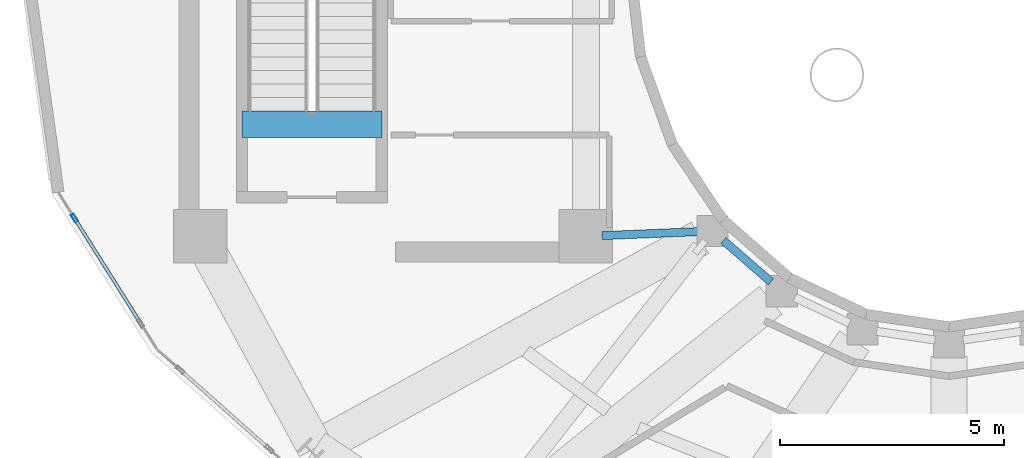
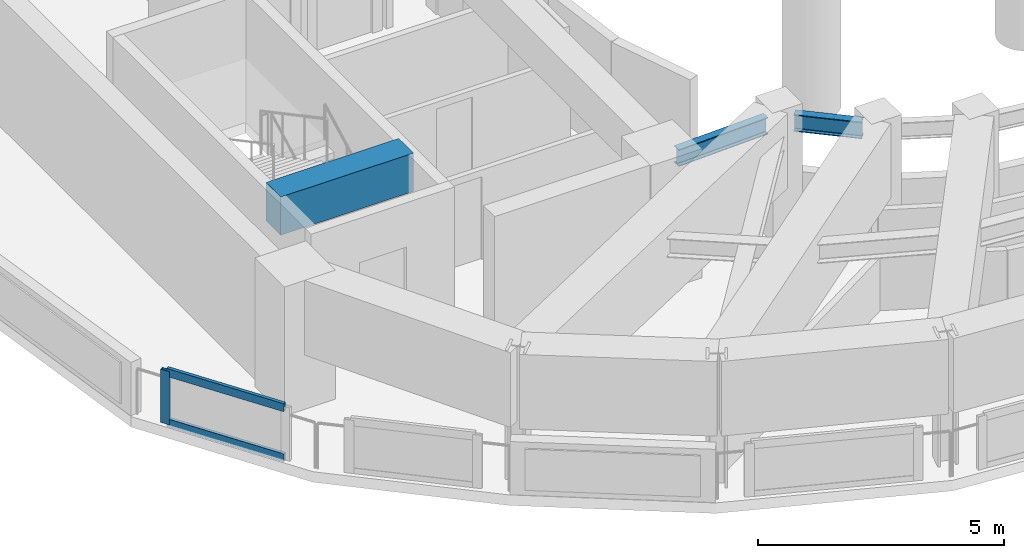
# One storey, part 3 of 18: 3 beams, 3 members, 1 element without a shape of its own.
"""IFC4 building model written with IfcOpenShell, lengths in metres."""

from ifc_helpers import new_model, si_unit, direction, frame, origin, origin_2d, place, context, subcontext, project, spatial, rectangle, hollow_rectangle, i_section, extrude, material, layer, layer_set, material_profile, profile_set, type_object, element, aggregate, save


model = new_model("IFC4")

# Units and contexts
model_context = context("Model", 3, precision=1e-05, world=origin(), true_north=direction((0.0, 1.0)))
body_context = subcontext(model_context, "Body", "Model", "MODEL_VIEW")
ifc_project = project(units=[si_unit("LENGTHUNIT", "METRE"), si_unit("AREAUNIT", "SQUARE_METRE"), si_unit("VOLUMEUNIT", "CUBIC_METRE"), si_unit("PLANEANGLEUNIT", "RADIAN"), si_unit("MASSUNIT", "GRAM", prefix="KILO")], contexts=[model_context])

# Site, building, storey
site_placement = place(None, origin())
site = spatial("IfcSite", under=ifc_project, at=site_placement, CompositionType="ELEMENT")
building_placement = place(site_placement, origin())
building = spatial("IfcBuilding", under=site, at=building_placement, Name="Solvane Sanctuary Tower", CompositionType="ELEMENT")
storey_placement = place(building_placement, frame((0.0, 0.0, 266.800048828125)))
storey = spatial("IfcBuildingStorey", under=building, at=storey_placement, Name="L81", CompositionType="ELEMENT", Elevation=266.800048828125)

# Beams
ifc_material_1 = material(Name="Concrete C70/85", Category="concrete")
ifc_material_profile_1 = material_profile(ifc_material_1, rectangle(XDim=0.60009765625, YDim=0.949951171875, at=origin_2d()), Name="RC600X950")
ifc_profile_set_1 = profile_set([ifc_material_profile_1], Name="Concrete C70/85")
beam_type_1 = type_object("IfcBeamType", Name="Beam B-COUPLE RC600X950", PredefinedType="LINTEL", material=ifc_profile_set_1)
beam_1_placement = place(storey_placement, frame((16.22998046875, 19.399169921875, 2.724853515625), z_axis=(1.0, 0.0, 0.0), x_axis=(0.0, 1.0, 0.0)))
element("IfcBeam", 1, at=beam_1_placement, inside=storey, type_object=beam_type_1, Name="L81 ST-1 Stair Floor Landing Trimmer", PredefinedType="LINTEL", context=body_context, shape_type="SweptSolid", body=[
    extrude(rectangle(XDim=0.60009765625, YDim=0.949951171875, at=origin_2d()), origin(), (0.0, 0.0, 1.0), 3.1201171875),
])
ifc_material_2 = material(Name="Steel ASTM A992 Grade 50", Category="steel")
ifc_material_profile_2 = material_profile(ifc_material_2, i_section(OverallWidth=0.180908203125, OverallDepth=0.4169921875, WebThickness=0.010986328125, FlangeThickness=0.018310546875, FilletRadius=0.012939453125, at=origin_2d()), Name="W16X57")
ifc_profile_set_2 = profile_set([ifc_material_profile_2], Name="Steel ASTM A992 Grade 50")
beam_type_2 = type_object("IfcBeamType", Name="Beam B-ROOF-BM W16X57", PredefinedType="BEAM", material=ifc_profile_set_2)
beam_2_placement = place(storey_placement, frame((24.259765625, 16.9150390625, 2.7294921875), z_axis=(0.999129127803, 0.041725124022, 0.0), x_axis=(-0.041725124022, 0.999129127803, 0.0)))
element("IfcBeam", 2, at=beam_2_placement, inside=storey, type_object=beam_type_2, Name="L81 Inner Light-Well Ring Beam CW2-IC08", PredefinedType="BEAM", context=body_context, shape_type="SweptSolid", body=[
    extrude(i_section(OverallWidth=0.180908203125, OverallDepth=0.4169921875, WebThickness=0.010986328125, FlangeThickness=0.018310546875, FilletRadius=0.012939453125, at=origin_2d()), origin(), (0.0, 0.0, 1.0), 2.1474609375),
])
beam_3_placement = place(storey_placement, frame((26.96630859375, 16.807861328125, 2.7294921875), z_axis=(0.754388985763, -0.656427648839, 0.0), x_axis=(0.656427648839, 0.754388985763, 0.0)))
element("IfcBeam", 3, at=beam_3_placement, inside=storey, type_object=beam_type_2, Name="L81 Inner Light-Well Ring Beam IC08-IC09", PredefinedType="BEAM", context=body_context, shape_type="SweptSolid", body=[
    extrude(i_section(OverallWidth=0.180908203125, OverallDepth=0.4169921875, WebThickness=0.010986328125, FlangeThickness=0.018310546875, FilletRadius=0.012939453125, at=origin_2d()), origin(), (0.0, 0.0, 1.0), 1.408203125),
])

# Curtain wall, members
ifc_material_3 = material(Name="Anodised Aluminium 6063-T6", Category="aluminium")
ifc_layer = layer(ifc_material_3, 0.219970703125, Name="Anodised Aluminium 6063-T6")
ifc_layer_set = layer_set([ifc_layer], Name="Anodised Aluminium 6063-T6")
curtain_wall_type = type_object("IfcCurtainWallType", Name="Curtain Wall CW-CROWN", PredefinedType="NOTDEFINED", material=ifc_layer_set)
curtain_wall_placement = place(storey_placement, origin())
curtain_wall = element("IfcCurtainWall", 4, at=curtain_wall_placement, inside=storey, type_object=curtain_wall_type, Name="L81 Crown Fritted Lantern Curtain Wall 13", PredefinedType="NOTDEFINED")
ifc_material_profile_3 = material_profile(ifc_material_3, hollow_rectangle(XDim=0.074951171875, YDim=0.199951171875, WallThickness=0.00390625, at=origin_2d()), Name="ALU200X75X4")
ifc_profile_set_3 = profile_set([ifc_material_profile_3], Name="Anodised Aluminium 6063-T6")
member_type_1 = type_object("IfcMemberType", Name="Member M-CW-MUL-1 ALU200X75X4", PredefinedType="MULLION", material=ifc_profile_set_3)
member_1_placement = place(storey_placement, frame((12.497314453125, 17.302490234375, 0.0), z_axis=(0.0, 0.0, 1.0), x_axis=(0.846332102963, 0.532655584308, 0.0)))
member_1 = element("IfcMember", 5, at=member_1_placement, type_object=member_type_1, Name="CW-CROWN mullion 1", PredefinedType="MULLION", context=body_context, shape_type="SweptSolid", body=[
    extrude(hollow_rectangle(XDim=0.074951171875, YDim=0.199951171875, WallThickness=0.00390625, at=origin_2d()), origin(), (0.0, 0.0, 1.0), 1.320068359375),
])
ifc_material_profile_4 = material_profile(ifc_material_3, hollow_rectangle(XDim=0.074951171875, YDim=0.199951171875, WallThickness=0.00390625, at=origin_2d()), Name="ALU200X75X4")
ifc_profile_set_4 = profile_set([ifc_material_profile_4], Name="Anodised Aluminium 6063-T6")
member_type_2 = type_object("IfcMemberType", Name="Member M-CW-TRN-2 ALU200X75X4", PredefinedType="USERDEFINED", material=ifc_profile_set_4)
member_2_placement = place(storey_placement, frame((12.517333984375, 17.270751953125, 0.037353515625), z_axis=(0.532644935954, -0.846338804618, 0.0), x_axis=(0.846338804618, 0.532644935954, 0.0)))
member_2 = element("IfcMember", 6, at=member_2_placement, type_object=member_type_2, Name="CW-CROWN transom 1.1", ObjectType="TRANSOM", PredefinedType="USERDEFINED", context=body_context, shape_type="SweptSolid", body=[
    extrude(hollow_rectangle(XDim=0.074951171875, YDim=0.199951171875, WallThickness=0.00390625, at=origin_2d()), origin(), (0.0, 0.0, 1.0), 2.69287109375),
])
member_3_placement = place(storey_placement, frame((12.517333984375, 17.270751953125, 1.282470703125), z_axis=(0.532644935954, -0.846338804618, 0.0), x_axis=(0.846338804618, 0.532644935954, 0.0)))
member_3 = element("IfcMember", 7, at=member_3_placement, type_object=member_type_2, Name="CW-CROWN transom 1.2", ObjectType="TRANSOM", PredefinedType="USERDEFINED", context=body_context, shape_type="SweptSolid", body=[
    extrude(hollow_rectangle(XDim=0.074951171875, YDim=0.199951171875, WallThickness=0.00390625, at=origin_2d()), origin(), (0.0, 0.0, 1.0), 2.69287109375),
])
aggregate(curtain_wall, [member_1, member_2, member_3])

save(model, "model.ifc")
